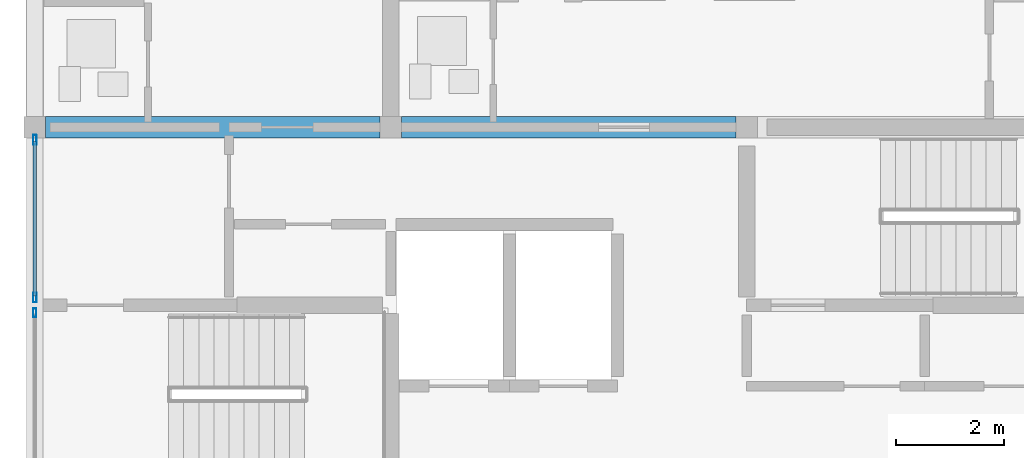
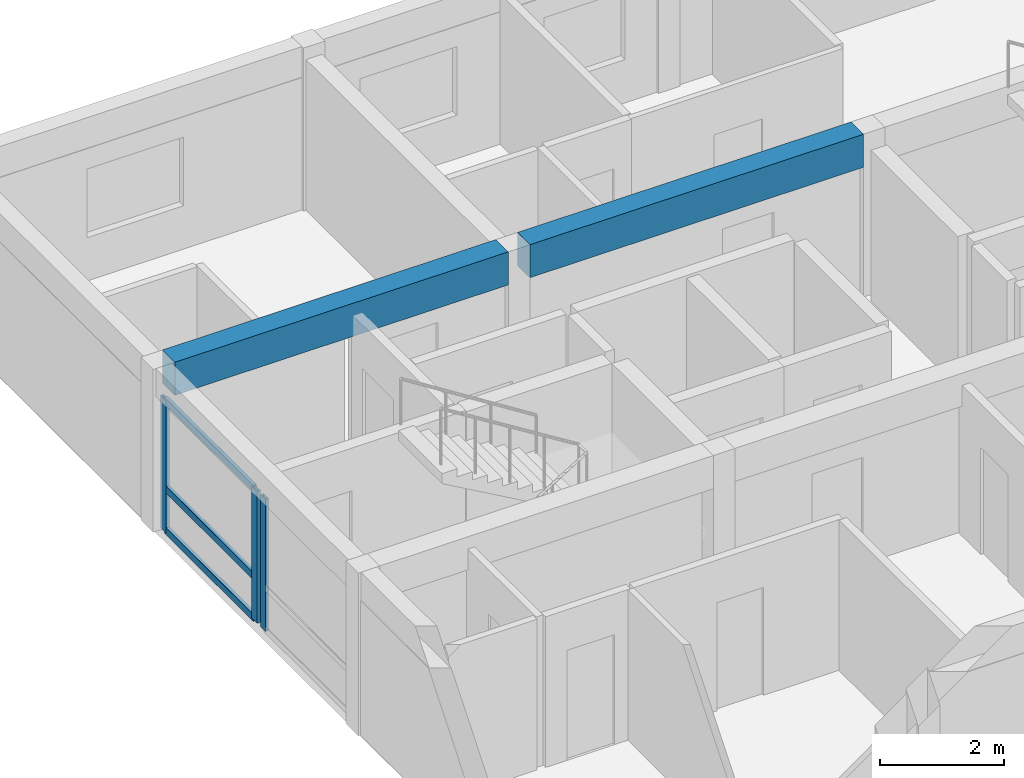
# One storey, part 6 of 45: 6 members, 2 beams, 2 elements without a shape of their own.
"""IFC4 building model written with IfcOpenShell, lengths in metres."""

from ifc_helpers import new_model, si_unit, direction, frame, origin, origin_2d, place, context, subcontext, project, spatial, rectangle, hollow_rectangle, extrude, material, material_profile, profile_set, type_object, element, aggregate, save


model = new_model("IFC4")

# Units and contexts
model_context = context("Model", 3, precision=1e-05, world=origin(), true_north=direction((0.0, 1.0)))
body_context = subcontext(model_context, "Body", "Model", "MODEL_VIEW")
ifc_project = project(units=[si_unit("LENGTHUNIT", "METRE"), si_unit("AREAUNIT", "SQUARE_METRE"), si_unit("VOLUMEUNIT", "CUBIC_METRE"), si_unit("PLANEANGLEUNIT", "RADIAN"), si_unit("MASSUNIT", "GRAM", prefix="KILO")], contexts=[model_context])

# Site, building, storey
site_placement = place(None, origin())
site = spatial("IfcSite", under=ifc_project, at=site_placement, CompositionType="ELEMENT")
building_placement = place(site_placement, origin())
building = spatial("IfcBuilding", under=site, at=building_placement, Name="Kernevlak Ridge Housing Community", CompositionType="ELEMENT")
storey_placement = place(building_placement, frame((0.0, 0.0, 21.199951171875)))
storey = spatial("IfcBuildingStorey", under=building, at=storey_placement, Name="L06", CompositionType="ELEMENT", Elevation=21.199951171875)

# Beams
ifc_material_1 = material(Name="Concrete C35/45", Category="concrete")
ifc_material_profile_1 = material_profile(ifc_material_1, rectangle(XDim=0.39990234375, YDim=0.64990234375, at=origin_2d()), Name="RC 400x650")
ifc_profile_set_1 = profile_set([ifc_material_profile_1], Name="Concrete C35/45")
beam_type = type_object("IfcBeamType", Name="B-03", PredefinedType="T_BEAM", material=ifc_profile_set_1)
beam_1_placement = place(storey_placement, frame((15.800048828125, 28.800048828125, 2.875), z_axis=(1.0, 0.0, 0.0), x_axis=(0.0, 1.0, 0.0)))
element("IfcBeam", 1, at=beam_1_placement, inside=storey, type_object=beam_type, Name="Beam B-03 L06 1462", PredefinedType="T_BEAM", context=body_context, shape_type="SweptSolid", body=[
    extrude(rectangle(XDim=0.39990234375, YDim=0.64990234375, at=origin_2d()), origin(), (0.0, 0.0, 1.0), 6.199951171875),
])
beam_2_placement = place(storey_placement, frame((22.39990234375, 28.800048828125, 2.875), z_axis=(1.0, 0.0, 0.0), x_axis=(0.0, 1.0, 0.0)))
element("IfcBeam", 2, at=beam_2_placement, inside=storey, type_object=beam_type, Name="Beam B-03 L06 1463", PredefinedType="T_BEAM", context=body_context, shape_type="SweptSolid", body=[
    extrude(rectangle(XDim=0.39990234375, YDim=0.64990234375, at=origin_2d()), origin(), (0.0, 0.0, 1.0), 6.2001953125),
])

# Curtain wall, member
ifc_material_2 = material(Name="Aluminium EN AW-6060 anodised and laminated glass", Category="aluminium")
curtain_wall_type_1 = type_object("IfcCurtainWallType", Name="CW-10", PredefinedType="NOTDEFINED", material=ifc_material_2)
curtain_wall_1_placement = place(storey_placement, origin())
curtain_wall_1 = element("IfcCurtainWall", 3, at=curtain_wall_1_placement, inside=storey, type_object=curtain_wall_type_1, Name="Curtain wall CW-10 CW-L06-157", PredefinedType="NOTDEFINED")
ifc_material_3 = material(Name="Aluminium EN AW-6060 anodised", Category="aluminium")
ifc_material_profile_2 = material_profile(ifc_material_3, hollow_rectangle(XDim=0.06005859375, YDim=0.159912109375, WallThickness=0.00390625, InnerFilletRadius=0.001953125, OuterFilletRadius=0.00390625, at=origin_2d()), Name="ALU 60x160x4")
ifc_profile_set_2 = profile_set([ifc_material_profile_2], Name="Aluminium EN AW-6060 anodised")
member_type_1 = type_object("IfcMemberType", Name="MU-02", PredefinedType="MULLION", material=ifc_profile_set_2)
member_1_placement = place(storey_placement, frame((15.60009765625, 25.360107421875, 0.0), z_axis=(0.0, 0.0, 1.0), x_axis=(-1.0, 0.0, 0.0)))
member_1 = element("IfcMember", 4, at=member_1_placement, type_object=member_type_1, Name="CW-10 mullion 2", PredefinedType="MULLION", context=body_context, shape_type="SweptSolid", body=[
    extrude(hollow_rectangle(XDim=0.06005859375, YDim=0.159912109375, WallThickness=0.00390625, InnerFilletRadius=0.001953125, OuterFilletRadius=0.00390625, at=origin_2d()), origin(), (0.0, 0.0, 1.0), 2.60009765625),
])
aggregate(curtain_wall_1, [member_1])

# Curtain wall, members
curtain_wall_type_2 = type_object("IfcCurtainWallType", Name="CW-02", PredefinedType="NOTDEFINED", material=ifc_material_2)
curtain_wall_2_placement = place(storey_placement, origin())
curtain_wall_2 = element("IfcCurtainWall", 5, at=curtain_wall_2_placement, inside=storey, type_object=curtain_wall_type_2, Name="Curtain wall CW-02 CW-L06-158", PredefinedType="NOTDEFINED")
ifc_material_profile_3 = material_profile(ifc_material_3, hollow_rectangle(XDim=0.06494140625, YDim=0.179931640625, WallThickness=0.00439453125, InnerFilletRadius=0.001953125, OuterFilletRadius=0.00439453125, at=origin_2d()), Name="ALU 65x180x4.5")
ifc_profile_set_3 = profile_set([ifc_material_profile_3], Name="Aluminium EN AW-6060 anodised")
member_type_2 = type_object("IfcMemberType", Name="MU-03", PredefinedType="MULLION", material=ifc_profile_set_3)
member_2_placement = place(storey_placement, frame((15.60009765625, 25.642578125, 0.0), z_axis=(0.0, 0.0, 1.0), x_axis=(-1.0, 0.0, 0.0)))
member_2 = element("IfcMember", 6, at=member_2_placement, type_object=member_type_2, Name="CW-02 mullion 1", PredefinedType="MULLION", context=body_context, shape_type="SweptSolid", body=[
    extrude(hollow_rectangle(XDim=0.06494140625, YDim=0.179931640625, WallThickness=0.00439453125, InnerFilletRadius=0.001953125, OuterFilletRadius=0.00439453125, at=origin_2d()), origin(), (0.0, 0.0, 1.0), 2.60009765625),
])
member_3_placement = place(storey_placement, frame((15.60009765625, 28.5673828125, 0.0), z_axis=(0.0, 0.0, 1.0), x_axis=(-1.0, 0.0, 0.0)))
member_3 = element("IfcMember", 7, at=member_3_placement, type_object=member_type_2, Name="CW-02 mullion 2", PredefinedType="MULLION", context=body_context, shape_type="SweptSolid", body=[
    extrude(hollow_rectangle(XDim=0.06494140625, YDim=0.179931640625, WallThickness=0.00439453125, InnerFilletRadius=0.001953125, OuterFilletRadius=0.00439453125, at=origin_2d()), origin(), (0.0, 0.0, 1.0), 2.60009765625),
])
ifc_material_profile_4 = material_profile(ifc_material_3, hollow_rectangle(XDim=0.06494140625, YDim=0.139892578125, WallThickness=0.00390625, InnerFilletRadius=0.001953125, OuterFilletRadius=0.00390625, at=origin_2d()), Name="ALU 65x140x4")
ifc_profile_set_4 = profile_set([ifc_material_profile_4], Name="Aluminium EN AW-6060 anodised")
member_type_3 = type_object("IfcMemberType", Name="TM-03", PredefinedType="USERDEFINED", material=ifc_profile_set_4)
member_4_placement = place(storey_placement, frame((15.60009765625, 25.675048828125, 0.032470703125), z_axis=(0.0, 1.0, 0.0), x_axis=(-1.0, 0.0, 0.0)))
member_4 = element("IfcMember", 8, at=member_4_placement, type_object=member_type_3, Name="CW-02 transom 1.1", ObjectType="TRANSOM", PredefinedType="USERDEFINED", context=body_context, shape_type="SweptSolid", body=[
    extrude(hollow_rectangle(XDim=0.06494140625, YDim=0.139892578125, WallThickness=0.00390625, InnerFilletRadius=0.001953125, OuterFilletRadius=0.00390625, at=origin_2d()), origin(), (0.0, 0.0, 1.0), 2.85986328125),
])
member_5_placement = place(storey_placement, frame((15.60009765625, 25.675048828125, 0.85009765625), z_axis=(0.0, 1.0, 0.0), x_axis=(-1.0, 0.0, 0.0)))
member_5 = element("IfcMember", 9, at=member_5_placement, type_object=member_type_3, Name="CW-02 transom 1.2", ObjectType="TRANSOM", PredefinedType="USERDEFINED", context=body_context, shape_type="SweptSolid", body=[
    extrude(hollow_rectangle(XDim=0.06494140625, YDim=0.139892578125, WallThickness=0.00390625, InnerFilletRadius=0.001953125, OuterFilletRadius=0.00390625, at=origin_2d()), origin(), (0.0, 0.0, 1.0), 2.85986328125),
])
member_6_placement = place(storey_placement, frame((15.60009765625, 25.675048828125, 2.567626953125), z_axis=(0.0, 1.0, 0.0), x_axis=(-1.0, 0.0, 0.0)))
member_6 = element("IfcMember", 10, at=member_6_placement, type_object=member_type_3, Name="CW-02 transom 1.3", ObjectType="TRANSOM", PredefinedType="USERDEFINED", context=body_context, shape_type="SweptSolid", body=[
    extrude(hollow_rectangle(XDim=0.06494140625, YDim=0.139892578125, WallThickness=0.00390625, InnerFilletRadius=0.001953125, OuterFilletRadius=0.00390625, at=origin_2d()), origin(), (0.0, 0.0, 1.0), 2.85986328125),
])
aggregate(curtain_wall_2, [member_2, member_3, member_4, member_5, member_6])

save(model, "model.ifc")
